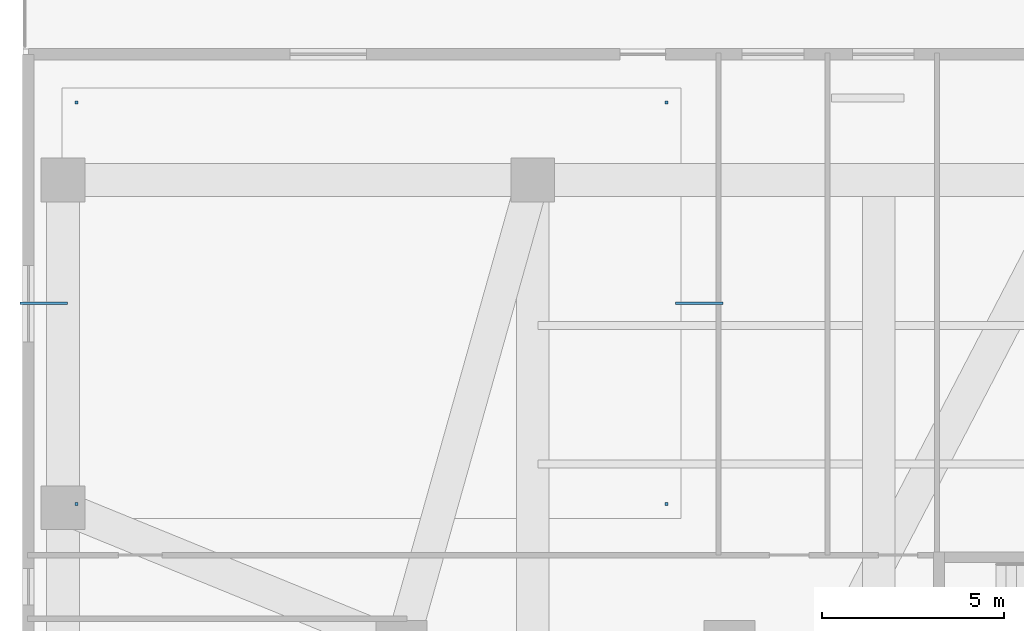
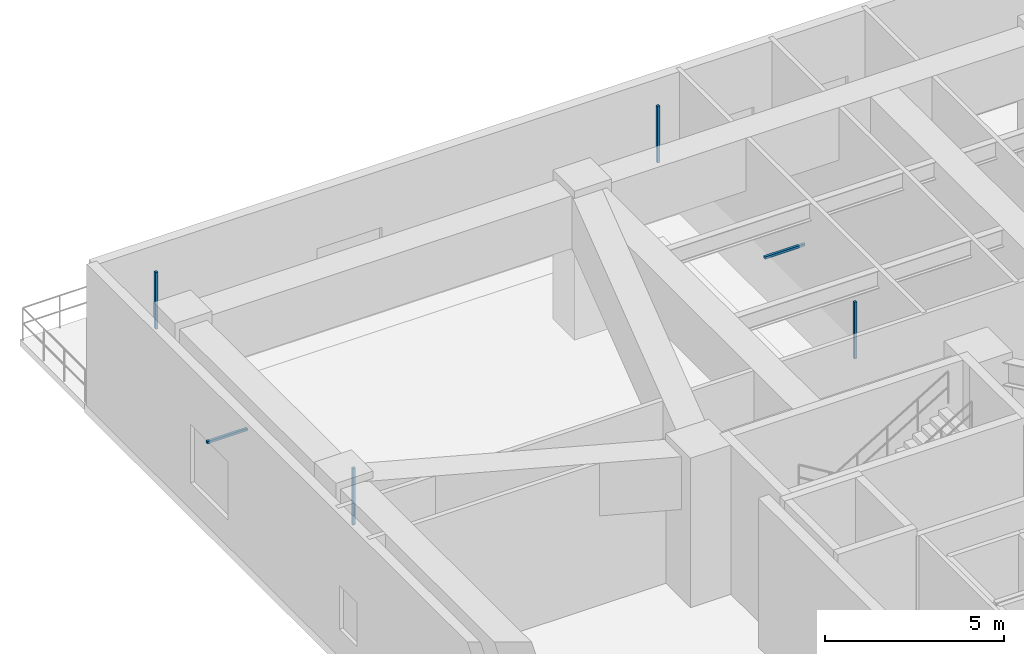
# One storey, part 16 of 21: 6 discrete accessories.
"""IFC4 building model written with IfcOpenShell, lengths in metres."""

from ifc_helpers import new_model, si_unit, direction, frame, origin, origin_2d, place, context, subcontext, project, spatial, rectangle, extrude, material, type_object, element, save


model = new_model("IFC4")

# Units and contexts
model_context = context("Model", 3, precision=1e-05, world=origin(), true_north=direction((0.0, 1.0)))
body_context = subcontext(model_context, "Body", "Model", "MODEL_VIEW")
ifc_project = project(units=[si_unit("LENGTHUNIT", "METRE"), si_unit("AREAUNIT", "SQUARE_METRE"), si_unit("VOLUMEUNIT", "CUBIC_METRE"), si_unit("PLANEANGLEUNIT", "RADIAN"), si_unit("MASSUNIT", "GRAM", prefix="KILO")], contexts=[model_context])

# Site, building, storey
site_placement = place(None, origin())
site = spatial("IfcSite", under=ifc_project, at=site_placement, CompositionType="ELEMENT")
building_placement = place(site_placement, origin())
building = spatial("IfcBuilding", under=site, at=building_placement, Name="Tarnavaz Court Tower", CompositionType="ELEMENT")
storey_placement = place(building_placement, frame((0.0, 0.0, 18.89990234375)))
storey = spatial("IfcBuildingStorey", under=building, at=storey_placement, Name="L04", CompositionType="ELEMENT", Elevation=18.89990234375)

# Discrete accessories
ifc_material = material(Name="Anodised Aluminium 6063-T6", Category="aluminium")
discrete_accessory_type = type_object("IfcDiscreteAccessoryType", Name="DA-BRKT-ALU", PredefinedType="BRACKET", material=ifc_material)
for number, where, z_axis, x_axis, name in (
    (1, (-27.530029296875, 13.89990234375, 2.940185546875), (0.0, 0.0, 1.0), (1.0, 0.0, 0.0), "L04 Ceiling Suspension Hanger Bracket 01-1"),
    (2, (-11.330078125, 13.89990234375, 2.940185546875), (0.0, 0.0, 1.0), (1.0, 0.0, 0.0), "L04 Ceiling Suspension Hanger Bracket 01-2"),
    (3, (-11.330078125, 24.929931640625, 2.940185546875), (0.0, 0.0, 1.0), (1.0, 0.0, 0.0), "L04 Ceiling Suspension Hanger Bracket 01-3"),
    (4, (-27.530029296875, 24.929931640625, 2.940185546875), (0.0, 0.0, 1.0), (1.0, 0.0, 0.0), "L04 Ceiling Suspension Hanger Bracket 01-4"),
):
    element("IfcDiscreteAccessory", number, at=place(storey_placement, frame(where, z_axis=z_axis, x_axis=x_axis)), inside=storey, type_object=discrete_accessory_type, Name=name, PredefinedType="BRACKET", context=body_context, shape_type="SweptSolid", body=[
        extrude(rectangle(XDim=0.080078125, YDim=0.080078125, at=origin_2d()), origin(), (0.0, 0.0, 1.0), 1.93994140625),
    ])
for number, where, z_axis, x_axis, name in (
    (5, (-28.429931640625, 19.4150390625, 2.902587890625), (0.0, 0.0, 1.0), (1.0, 0.0, 0.0), "L04 Ceiling Perimeter Wall-Tie Bracket 01-1"),
    (6, (-10.429931640625, 19.4150390625, 2.902587890625), (0.0, 0.0, 1.0), (1.0, 0.0, 0.0), "L04 Ceiling Perimeter Wall-Tie Bracket 01-2"),
):
    element("IfcDiscreteAccessory", number, at=place(storey_placement, frame(where, z_axis=z_axis, x_axis=x_axis)), inside=storey, type_object=discrete_accessory_type, Name=name, PredefinedType="BRACKET", context=body_context, shape_type="SweptSolid", body=[
        extrude(rectangle(XDim=1.300048828125, YDim=0.080078125, at=origin_2d()), origin(), (0.0, 0.0, 1.0), 0.080078125),
    ])

save(model, "model.ifc")
